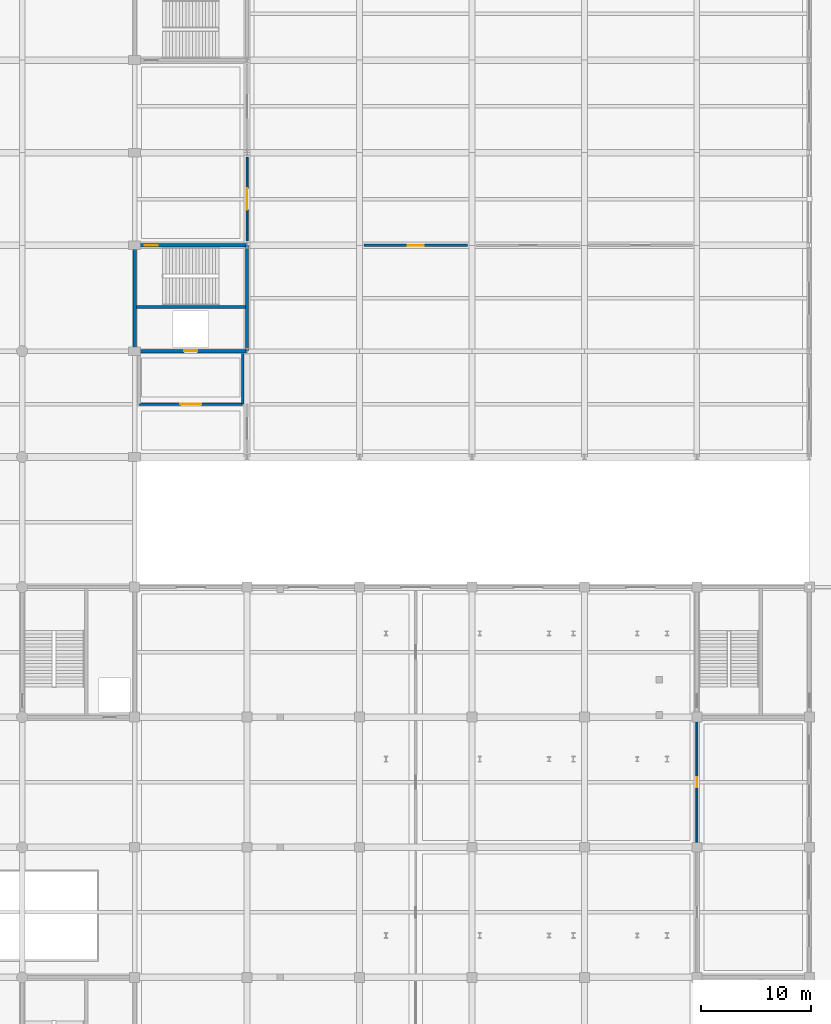
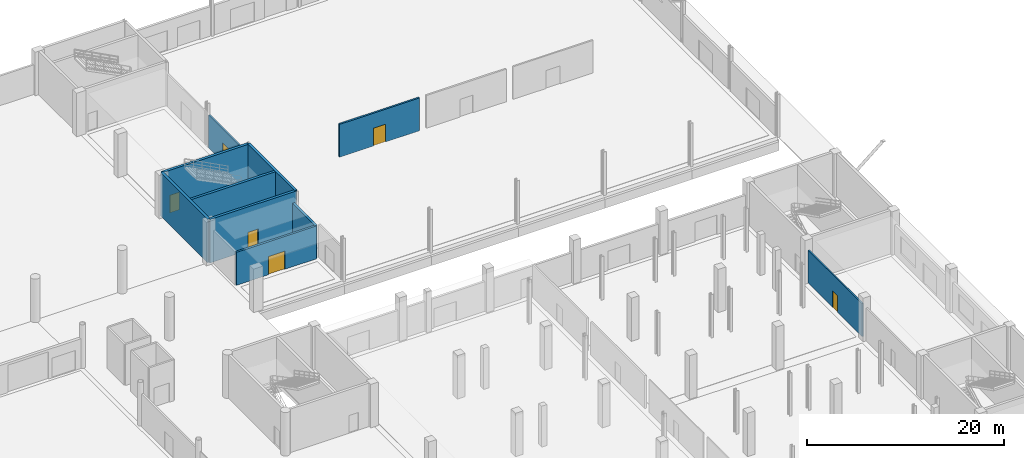
# One storey, part 95 of 124: 10 walls, 6 doors, 6 openings.
"""IFC4 building model written with IfcOpenShell, lengths in metres."""

from ifc_helpers import new_model, si_unit, direction, frame, frame_2d, origin, place, context, subcontext, project, spatial, rectangle, extrude, material, layer, layer_set, type_object, element, fill, save


model = new_model("IFC4")

# Units and contexts
model_context = context("Model", 3, precision=1e-05, world=origin(), true_north=direction((0.0, 1.0)))
body_context = subcontext(model_context, "Body", "Model", "MODEL_VIEW")
ifc_project = project(units=[si_unit("LENGTHUNIT", "METRE"), si_unit("AREAUNIT", "SQUARE_METRE"), si_unit("VOLUMEUNIT", "CUBIC_METRE"), si_unit("PLANEANGLEUNIT", "RADIAN"), si_unit("MASSUNIT", "GRAM", prefix="KILO")], contexts=[model_context])

# Site, building, storey
site_placement = place(None, origin())
site = spatial("IfcSite", under=ifc_project, at=site_placement, CompositionType="ELEMENT")
building_placement = place(site_placement, origin())
building = spatial("IfcBuilding", under=site, at=building_placement, Name="Brelvane Convention Centre", CompositionType="ELEMENT")
storey_placement = place(building_placement, origin())
storey = spatial("IfcBuildingStorey", under=building, at=storey_placement, Name="L00", CompositionType="ELEMENT", Elevation=0.0)

# Wall, opening, door
ifc_material_1 = material(Name="Fire-Rated Acoustic Gypsum Partition Board Grade A")
ifc_layer_1 = layer(ifc_material_1, 0.1650390625)
ifc_layer_set_1 = layer_set([ifc_layer_1], Name="Fire-Rated Acoustic Gypsum Partition Board Grade A")
wall_type_1 = type_object("IfcWallType", Name="Interior Wall IW-AC-165", PredefinedType="PARTITIONING", material=ifc_layer_set_1)
wall_1_placement = place(storey_placement, frame((214.199951171875, 64.60009765625, 0.0), z_axis=(0.0, 0.0, 1.0), x_axis=(0.0, 1.0, 0.0)))
wall_1 = element("IfcWall", 1, at=wall_1_placement, inside=storey, type_object=wall_type_1, Name="Interior Partition L00-OB-2", PredefinedType="PARTITIONING", context=body_context, shape_type="SweptSolid", body=[
    extrude(rectangle(XDim=11.0, YDim=0.1650390625, at=frame_2d((5.5, 0.0))), origin(), (0.0, 0.0, 1.0), 4.080078125),
])
opening_1_placement = place(wall_1_placement, frame((5.030029296875, 0.0, 0.0)))
opening_1 = element("IfcOpeningElement", 2, at=opening_1_placement, cuts=wall_1, Name="Opening DR-IN-11R", PredefinedType="OPENING", context=body_context, shape_type="SweptSolid", body=[
    extrude(rectangle(XDim=0.93994140625, YDim=2.080078125, at=frame_2d((0.469970703125, 1.0400390625))), frame((0.0, 0.092529296875, 0.0), z_axis=(0.0, -1.0, 0.0), x_axis=(1.0, 0.0, 0.0)), (0.0, 0.0, 1.0), 0.18505859375),
])
ifc_material_2 = material(Name="Solid-Core Fire-Rated Hardwood Leaf Grade 1", Category="wood")
door_type_1 = type_object("IfcDoorType", Name="Interior Door DR-IN-11R", OperationType="NOTDEFINED", PredefinedType="DOOR", material=ifc_material_2)
door_1_placement = place(opening_1_placement, origin())
door_1 = element("IfcDoor", 3, at=door_1_placement, inside=storey, type_object=door_type_1, Name="Interior Door L00-OB-2 (DR-IN-11R)", OperationType="SINGLE_SWING_RIGHT", OverallHeight=2.080078125, OverallWidth=0.93994140625, PredefinedType="DOOR", context=body_context, shape_type="SweptSolid", body=[
    extrude(rectangle(XDim=0.93994140625, YDim=2.080078125, at=frame_2d((0.469970703125, 1.0400390625))), frame((0.0, 0.02490234375, 0.0), z_axis=(0.0, -1.0, 0.0), x_axis=(1.0, 0.0, 0.0)), (0.0, 0.0, 1.0), 0.050048828125),
])
fill(opening_1, door_1)

ifc_material_3 = material(Name="Fire-Rated Acoustic Gypsum Partition Board Grade A")
ifc_layer_2 = layer(ifc_material_3, 0.175048828125)
ifc_layer_set_2 = layer_set([ifc_layer_2], Name="Fire-Rated Acoustic Gypsum Partition Board Grade A")
wall_type_2 = type_object("IfcWallType", Name="Interior Wall IW-AC-175", PredefinedType="PARTITIONING", material=ifc_layer_set_2)
wall_2_placement = place(storey_placement, frame((173.39990234375, 119.199951171875, 0.0), z_axis=(0.0, 0.0, 1.0), x_axis=(0.0, 1.0, 0.0)))
wall_2 = element("IfcWall", 4, at=wall_2_placement, inside=storey, type_object=wall_type_2, Name="Interior Partition L00-BALL-W2", PredefinedType="PARTITIONING", context=body_context, shape_type="SweptSolid", body=[
    extrude(rectangle(XDim=7.60009765625, YDim=0.175048828125, at=frame_2d((3.800048828125, 0.0))), origin(), (0.0, 0.0, 1.0), 4.080078125),
])
opening_2_placement = place(wall_2_placement, frame((2.824951171875, 0.0, 0.0)))
opening_2 = element("IfcOpeningElement", 5, at=opening_2_placement, cuts=wall_2, Name="Opening DR-IN-20", PredefinedType="OPENING", context=body_context, shape_type="SweptSolid", body=[
    extrude(rectangle(XDim=1.949951171875, YDim=2.340087890625, at=frame_2d((0.97509765625, 1.169921875))), frame((0.0, 0.097412109375, 0.0), z_axis=(0.0, -1.0, 0.0), x_axis=(1.0, 0.0, 0.0)), (0.0, 0.0, 1.0), 0.195068359375),
])
ifc_material_4 = material(Name="Solid-Core Fire-Rated Hardwood Leaf Grade 1", Category="wood")
door_type_2 = type_object("IfcDoorType", Name="Interior Door DR-IN-20", OperationType="NOTDEFINED", PredefinedType="DOOR", material=ifc_material_4)
door_2_placement = place(opening_2_placement, origin())
door_2 = element("IfcDoor", 6, at=door_2_placement, inside=storey, type_object=door_type_2, Name="Interior Door L00-BALL-W2 (DR-IN-20)", OperationType="DOUBLE_DOOR_SINGLE_SWING", OverallHeight=2.340087890625, OverallWidth=1.949951171875, PredefinedType="DOOR", context=body_context, shape_type="SweptSolid", body=[
    extrude(rectangle(XDim=1.949951171875, YDim=2.340087890625, at=frame_2d((0.97509765625, 1.169921875))), frame((0.0, 0.02490234375, 0.0), z_axis=(0.0, -1.0, 0.0), x_axis=(1.0, 0.0, 0.0)), (0.0, 0.0, 1.0), 0.050048828125),
])
fill(opening_2, door_2)

ifc_material_5 = material(Name="Concrete M40", Category="concrete")
ifc_layer_3 = layer(ifc_material_5, 0.239990234375)
ifc_layer_set_3 = layer_set([ifc_layer_3], Name="Concrete M40")
wall_type_3 = type_object("IfcWallType", Name="Interior Wall IW-FR-240", PredefinedType="PARTITIONING", material=ifc_layer_set_3)
wall_3_placement = place(storey_placement, frame((163.60009765625, 104.39990234375, 0.0), z_axis=(0.0, 0.0, 1.0), x_axis=(1.0, 0.0, 0.0)))
wall_3 = element("IfcWall", 7, at=wall_3_placement, inside=storey, type_object=wall_type_3, Name="Firefighting Lobby C5 Wall S (L00)", PredefinedType="PARTITIONING", context=body_context, shape_type="SweptSolid", body=[
    extrude(rectangle(XDim=9.39990234375, YDim=0.239990234375, at=frame_2d((4.699951171875, 0.0))), origin(), (0.0, 0.0, 1.0), 4.080078125),
])
opening_3_placement = place(wall_3_placement, frame((3.75, 0.0, 0.0)))
opening_3 = element("IfcOpeningElement", 8, at=opening_3_placement, cuts=wall_3, Name="Opening DR-FL-01", PredefinedType="OPENING", context=body_context, shape_type="SweptSolid", body=[
    extrude(rectangle(XDim=1.89990234375, YDim=2.25, at=frame_2d((0.949951171875, 1.125))), frame((0.0, 0.1298828125, 0.0), z_axis=(0.0, -1.0, 0.0), x_axis=(1.0, 0.0, 0.0)), (0.0, 0.0, 1.0), 0.260009765625),
])
ifc_material_6 = material(Name="Galvanised Hollow-Metal Fire Door Steel E250", Category="steel")
door_type_3 = type_object("IfcDoorType", Name="Interior Door DR-FL-01", OperationType="NOTDEFINED", PredefinedType="DOOR", material=ifc_material_6)
door_3_placement = place(opening_3_placement, origin())
door_3 = element("IfcDoor", 9, at=door_3_placement, inside=storey, type_object=door_type_3, Name="Firefighting Lobby C5 Smoke Door (L00)", OperationType="DOUBLE_DOOR_SINGLE_SWING", OverallHeight=2.25, OverallWidth=1.89990234375, PredefinedType="DOOR", context=body_context, shape_type="SweptSolid", body=[
    extrude(rectangle(XDim=1.89990234375, YDim=2.25, at=frame_2d((0.949951171875, 1.125))), frame((0.0, 0.02490234375, 0.0), z_axis=(0.0, -1.0, 0.0), x_axis=(1.0, 0.0, 0.0)), (0.0, 0.0, 1.0), 0.050048828125),
])
fill(opening_3, door_3)

# Wall
wall_4_placement = place(storey_placement, frame((173.0, 104.39990234375, 0.0), z_axis=(0.0, 0.0, 1.0), x_axis=(0.0, 1.0, 0.0)))
element("IfcWall", 10, at=wall_4_placement, inside=storey, type_object=wall_type_3, Name="Firefighting Lobby C5 Wall E (L00)", PredefinedType="PARTITIONING", context=body_context, shape_type="SweptSolid", body=[
    extrude(rectangle(XDim=4.60009765625, YDim=0.239990234375, at=frame_2d((2.300048828125, 0.0))), origin(), (0.0, 0.0, 1.0), 4.080078125),
])

# Wall, opening, door
ifc_material_7 = material(Name="Acoustic Operable Gypsum Composite Panel Board Class A")
ifc_layer_4 = layer(ifc_material_7, 0.2099609375)
ifc_layer_set_4 = layer_set([ifc_layer_4], Name="Acoustic Operable Gypsum Composite Panel Board Class A")
wall_type_4 = type_object("IfcWallType", Name="Interior Wall IW-OP-210", PredefinedType="MOVABLE", material=ifc_layer_set_4)
wall_5_placement = place(storey_placement, frame((184.0, 118.800048828125, 0.0), z_axis=(0.0, 0.0, 1.0), x_axis=(1.0, 0.0, 0.0)))
wall_5 = element("IfcWall", 11, at=wall_5_placement, inside=storey, type_object=wall_type_4, Name="Operable Wall L00-BALL-DIV-A", PredefinedType="MOVABLE", context=body_context, shape_type="SweptSolid", body=[
    extrude(rectangle(XDim=9.39990234375, YDim=0.2099609375, at=frame_2d((4.699951171875, 0.0))), origin(), (0.0, 0.0, 1.0), 4.080078125),
])
opening_4_placement = place(wall_5_placement, frame((3.97509765625, 0.0, 0.0)))
opening_4 = element("IfcOpeningElement", 12, at=opening_4_placement, cuts=wall_5, Name="Opening DR-IN-15", PredefinedType="OPENING", context=body_context, shape_type="SweptSolid", body=[
    extrude(rectangle(XDim=1.449951171875, YDim=2.219970703125, at=frame_2d((0.72509765625, 1.10986328125))), frame((0.0, 0.114990234375, 0.0), z_axis=(0.0, -1.0, 0.0), x_axis=(1.0, 0.0, 0.0)), (0.0, 0.0, 1.0), 0.22998046875),
])
ifc_material_8 = material(Name="Solid-Core Fire-Rated Hardwood Leaf Grade 1", Category="wood")
door_type_4 = type_object("IfcDoorType", Name="Interior Door DR-IN-15", OperationType="NOTDEFINED", PredefinedType="DOOR", material=ifc_material_8)
door_4_placement = place(opening_4_placement, origin())
door_4 = element("IfcDoor", 13, at=door_4_placement, inside=storey, type_object=door_type_4, Name="Interior Door L00-BALL-DIV-A (DR-IN-15)", OperationType="DOUBLE_DOOR_SINGLE_SWING", OverallHeight=2.219970703125, OverallWidth=1.449951171875, PredefinedType="DOOR", context=body_context, shape_type="SweptSolid", body=[
    extrude(rectangle(XDim=1.449951171875, YDim=2.219970703125, at=frame_2d((0.72509765625, 1.10986328125))), frame((0.0, 0.02490234375, 0.0), z_axis=(0.0, -1.0, 0.0), x_axis=(1.0, 0.0, 0.0)), (0.0, 0.0, 1.0), 0.050048828125),
])
fill(opening_4, door_4)

ifc_material_9 = material(Name="Concrete M50", Category="concrete")
ifc_layer_5 = layer(ifc_material_9, 0.300048828125)
ifc_layer_set_5 = layer_set([ifc_layer_5], Name="Concrete M50")
wall_type_5 = type_object("IfcWallType", Name="Structural Wall WL-CORE-300", PredefinedType="SHEAR", material=ifc_layer_set_5)
wall_6_placement = place(storey_placement, frame((163.199951171875, 109.199951171875, 0.0), z_axis=(0.0, 0.0, 1.0), x_axis=(1.0, 0.0, 0.0)))
wall_6 = element("IfcWall", 14, at=wall_6_placement, inside=storey, type_object=wall_type_5, Name="Core C5 Shear Wall S (L00)", PredefinedType="SHEAR", context=body_context, shape_type="SweptSolid", body=[
    extrude(rectangle(XDim=10.199951171875, YDim=0.300048828125, at=frame_2d((5.10009765625, 0.0))), origin(), (0.0, 0.0, 1.0), 5.39990234375),
])
opening_5_placement = place(wall_6_placement, frame((4.5, 0.0, 0.0)))
opening_5 = element("IfcOpeningElement", 15, at=opening_5_placement, cuts=wall_6, Name="Opening LD-01", PredefinedType="OPENING", context=body_context, shape_type="SweptSolid", body=[
    extrude(rectangle(XDim=1.199951171875, YDim=2.25, at=frame_2d((0.60009765625, 1.125))), frame((0.0, 0.159912109375, 0.0), z_axis=(0.0, -1.0, 0.0), x_axis=(1.0, 0.0, 0.0)), (0.0, 0.0, 1.0), 0.320068359375),
])
ifc_material_10 = material(Name="Galvanised Hollow-Metal Fire Door Steel E250", Category="steel")
door_type_5 = type_object("IfcDoorType", Name="Interior Door LD-01", OperationType="NOTDEFINED", PredefinedType="DOOR", material=ifc_material_10)
door_5_placement = place(opening_5_placement, origin())
door_5 = element("IfcDoor", 16, at=door_5_placement, inside=storey, type_object=door_type_5, Name="Lift LF-03 Landing Door (L00)", OperationType="SLIDING_TO_LEFT", OverallHeight=2.25, OverallWidth=1.199951171875, PredefinedType="DOOR", context=body_context, shape_type="SweptSolid", body=[
    extrude(rectangle(XDim=1.199951171875, YDim=2.25, at=frame_2d((0.60009765625, 1.125))), frame((0.0, 0.02490234375, 0.0), z_axis=(0.0, -1.0, 0.0), x_axis=(1.0, 0.0, 0.0)), (0.0, 0.0, 1.0), 0.050048828125),
])
fill(opening_5, door_5)

wall_7_placement = place(storey_placement, frame((163.199951171875, 118.800048828125, 0.0), z_axis=(0.0, 0.0, 1.0), x_axis=(1.0, 0.0, 0.0)))
wall_7 = element("IfcWall", 17, at=wall_7_placement, inside=storey, type_object=wall_type_5, Name="Core C5 Shear Wall N (L00)", PredefinedType="SHEAR", context=body_context, shape_type="SweptSolid", body=[
    extrude(rectangle(XDim=10.199951171875, YDim=0.300048828125, at=frame_2d((5.10009765625, 0.0))), origin(), (0.0, 0.0, 1.0), 5.39990234375),
])
opening_6_placement = place(wall_7_placement, frame((0.919921875, 0.0, 0.0)))
opening_6 = element("IfcOpeningElement", 18, at=opening_6_placement, cuts=wall_7, Name="Opening DR-IN-04L", PredefinedType="OPENING", context=body_context, shape_type="SweptSolid", body=[
    extrude(rectangle(XDim=1.159912109375, YDim=2.199951171875, at=frame_2d((0.580078125, 1.10009765625))), frame((0.0, 0.159912109375, 0.0), z_axis=(0.0, -1.0, 0.0), x_axis=(1.0, 0.0, 0.0)), (0.0, 0.0, 1.0), 0.320068359375),
])
ifc_material_11 = material(Name="Galvanised Hollow-Metal Fire Door Steel E250", Category="steel")
door_type_6 = type_object("IfcDoorType", Name="Interior Door DR-IN-04L", OperationType="NOTDEFINED", PredefinedType="DOOR", material=ifc_material_11)
door_6_placement = place(opening_6_placement, origin())
door_6 = element("IfcDoor", 19, at=door_6_placement, inside=storey, type_object=door_type_6, Name="Stair ST-05 Door (L00)", OperationType="SINGLE_SWING_LEFT", OverallHeight=2.199951171875, OverallWidth=1.159912109375, PredefinedType="DOOR", context=body_context, shape_type="SweptSolid", body=[
    extrude(rectangle(XDim=1.159912109375, YDim=2.199951171875, at=frame_2d((0.580078125, 1.10009765625))), frame((0.0, 0.02490234375, 0.0), z_axis=(0.0, -1.0, 0.0), x_axis=(1.0, 0.0, 0.0)), (0.0, 0.0, 1.0), 0.050048828125),
])
fill(opening_6, door_6)

# Walls
for number, where, z_axis, x_axis, name in (
    (20, (163.199951171875, 109.199951171875, 0.0), (0.0, 0.0, 1.0), (0.0, 1.0, 0.0), "Core C5 Shear Wall W (L00)"),
    (21, (173.39990234375, 109.199951171875, 0.0), (0.0, 0.0, 1.0), (0.0, 1.0, 0.0), "Core C5 Shear Wall E (L00)"),
):
    element("IfcWall", number, at=place(storey_placement, frame(where, z_axis=z_axis, x_axis=x_axis)), inside=storey, type_object=wall_type_5, Name=name, PredefinedType="SHEAR", context=body_context, shape_type="SweptSolid", body=[
        extrude(rectangle(XDim=9.60009765625, YDim=0.300048828125, at=frame_2d((4.800048828125, 0.0))), origin(), (0.0, 0.0, 1.0), 5.39990234375),
    ])
wall_8_placement = place(storey_placement, frame((163.35009765625, 113.199951171875, 0.0), z_axis=(0.0, 0.0, 1.0), x_axis=(1.0, 0.0, 0.0)))
element("IfcWall", 22, at=wall_8_placement, inside=storey, type_object=wall_type_5, Name="Core C5 Shaft Divider Wall (L00)", PredefinedType="SHEAR", context=body_context, shape_type="SweptSolid", body=[
    extrude(rectangle(XDim=9.89990234375, YDim=0.300048828125, at=frame_2d((4.949951171875, 0.0))), origin(), (0.0, 0.0, 1.0), 5.39990234375),
])

save(model, "model.ifc")
